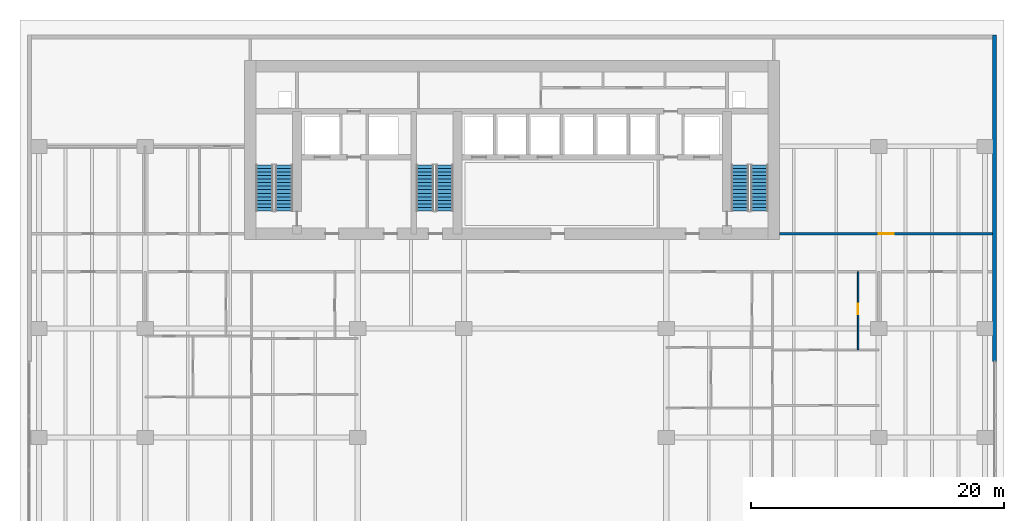
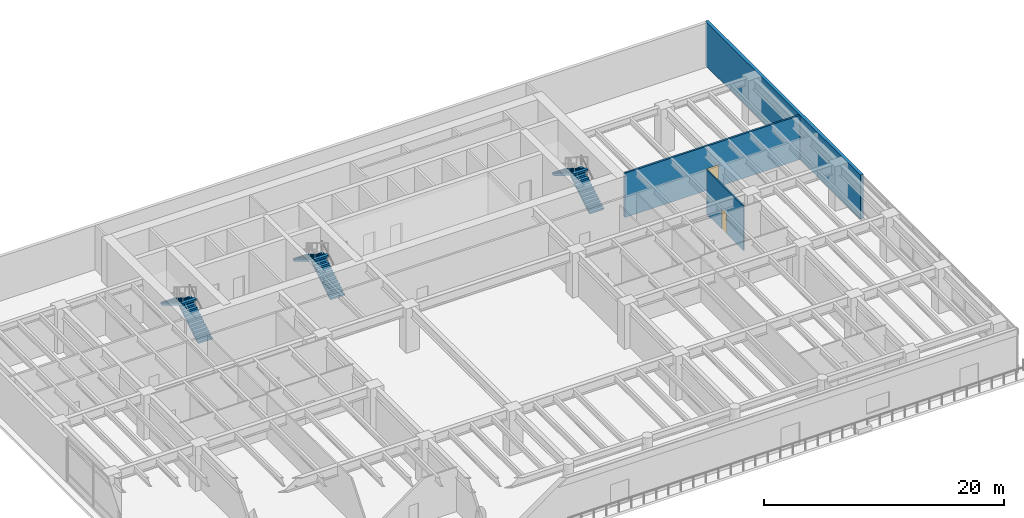
# One storey, part 13 of 17: 6 stair flights, 3 walls, 2 doors, 2 openings, 3 elements without a shape of their own.
"""IFC4 building model written with IfcOpenShell, lengths in metres."""

from ifc_helpers import new_model, si_unit, direction, frame, frame_2d, origin, place, context, subcontext, project, spatial, polyline, rectangle, outline, extrude, material, layer, layer_set, type_object, element, fill, aggregate, save


model = new_model("IFC4")

# Units and contexts
model_context = context("Model", 3, precision=1e-05, world=origin(), true_north=direction((0.0, 1.0)))
body_context = subcontext(model_context, "Body", "Model", "MODEL_VIEW")
ifc_project = project(units=[si_unit("LENGTHUNIT", "METRE"), si_unit("AREAUNIT", "SQUARE_METRE"), si_unit("VOLUMEUNIT", "CUBIC_METRE"), si_unit("PLANEANGLEUNIT", "RADIAN"), si_unit("MASSUNIT", "GRAM", prefix="KILO")], contexts=[model_context])

# Site, building, storey
site_placement = place(None, origin())
site = spatial("IfcSite", under=ifc_project, at=site_placement, CompositionType="ELEMENT")
building_placement = place(site_placement, origin())
building = spatial("IfcBuilding", under=site, at=building_placement, Name="Caelmar Bay Residences", CompositionType="ELEMENT")
storey_placement = place(building_placement, frame((0.0, 0.0, 10.199951171875)))
storey = spatial("IfcBuildingStorey", under=building, at=storey_placement, Name="L02", CompositionType="ELEMENT", Elevation=10.199951171875)

# Wall, opening, door
ifc_material_1 = material(Name="Double-stud acoustic fire-rated gypsum partition 180 mm")
ifc_layer_1 = layer(ifc_material_1, 0.179931640625)
ifc_layer_set_1 = layer_set([ifc_layer_1], Name="Double-stud acoustic fire-rated gypsum partition 180 mm")
wall_type_1 = type_object("IfcWallType", Name="W-COR-200", PredefinedType="PARTITIONING", material=ifc_layer_set_1)
wall_1_placement = place(storey_placement, frame((60.054931640625, 36.89990234375, 0.0), z_axis=(0.0, 0.0, 1.0), x_axis=(1.0, 0.0, 0.0)))
wall_1 = element("IfcWall", 1, at=wall_1_placement, inside=storey, type_object=wall_type_1, Name="L02 Partition Wall H046", PredefinedType="PARTITIONING", context=body_context, shape_type="SweptSolid", body=[
    extrude(rectangle(XDim=16.85009765625, YDim=0.179931640625, at=frame_2d((8.425048828125, 0.0))), origin(), (0.0, 0.0, 1.0), 4.5),
])
opening_1_placement = place(wall_1_placement, frame((7.824951171875, 0.0, 0.0)))
opening_1 = element("IfcOpeningElement", 2, at=opening_1_placement, cuts=wall_1, Name="Opening D-L02-147", PredefinedType="OPENING", context=body_context, shape_type="SweptSolid", body=[
    extrude(rectangle(XDim=1.199951171875, YDim=2.199951171875, at=frame_2d((0.60009765625, 1.10009765625))), frame((0.0, 0.099853515625, 0.0), z_axis=(0.0, -1.0, 0.0), x_axis=(1.0, 0.0, 0.0)), (0.0, 0.0, 1.0), 0.199951171875),
])
ifc_material_2 = material(Name="Fire-rated steel and walnut architectural door assembly", Category="steel")
ifc_layer_2 = layer(ifc_material_2, 0.050048828125)
ifc_layer_set_2 = layer_set([ifc_layer_2], Name="Fire-rated steel and walnut architectural door assembly")
door_type_1 = type_object("IfcDoorType", Name="D-PLANT-1200", OperationType="NOTDEFINED", PredefinedType="DOOR", material=ifc_layer_set_2)
door_1_placement = place(opening_1_placement, origin())
door_1 = element("IfcDoor", 3, at=door_1_placement, inside=storey, type_object=door_type_1, Name="L02 Podium L02 East Fan Plant Room Door", OperationType="SINGLE_SWING_LEFT", OverallHeight=2.199951171875, OverallWidth=1.199951171875, PredefinedType="DOOR", context=body_context, shape_type="SweptSolid", body=[
    extrude(rectangle(XDim=1.199951171875, YDim=2.199951171875, at=frame_2d((0.60009765625, 1.10009765625))), frame((0.0, 0.02490234375, 0.0), z_axis=(0.0, -1.0, 0.0), x_axis=(1.0, 0.0, 0.0)), (0.0, 0.0, 1.0), 0.050048828125),
])
fill(opening_1, door_1)

# Wall
ifc_material_3 = material(Name="Precast concrete f'c 40 MPa (6,000 psi)", Category="concrete")
ifc_layer_3 = layer(ifc_material_3, 0.300048828125)
ifc_layer_set_3 = layer_set([ifc_layer_3], Name="Precast concrete f'c 40 MPa (6,000 psi)")
wall_type_2 = type_object("IfcWallType", Name="W-EXT-300", PredefinedType="STANDARD", material=ifc_layer_set_3)
wall_2_placement = place(storey_placement, frame((77.050048828125, 52.60009765625, 0.0), z_axis=(0.0, 0.0, 1.0), x_axis=(0.0, -1.0, 0.0)))
element("IfcWall", 4, at=wall_2_placement, inside=storey, type_object=wall_type_2, Name="L02 East Rear Exterior Wall", PredefinedType="STANDARD", context=body_context, shape_type="SweptSolid", body=[
    extrude(rectangle(XDim=25.800048828125, YDim=0.300048828125, at=frame_2d((12.89990234375, 0.0))), origin(), (0.0, 0.0, 1.0), 4.5),
])

# Wall, opening, door
ifc_material_4 = material(Name="Acoustic metal-stud gypsum partition 120 mm")
ifc_layer_4 = layer(ifc_material_4, 0.1201171875)
ifc_layer_set_4 = layer_set([ifc_layer_4], Name="Acoustic metal-stud gypsum partition 120 mm")
wall_type_3 = type_object("IfcWallType", Name="W-PRT-120", PredefinedType="PARTITIONING", material=ifc_layer_set_4)
wall_3_placement = place(storey_placement, frame((66.26611328125, 27.719970703125, 0.0), z_axis=(0.0, 0.0, 1.0), x_axis=(0.0, 1.0, 0.0)))
wall_3 = element("IfcWall", 5, at=wall_3_placement, inside=storey, type_object=wall_type_3, Name="L02 Partition Wall V032", PredefinedType="PARTITIONING", context=body_context, shape_type="SweptSolid", body=[
    extrude(rectangle(XDim=6.179931640625, YDim=0.1201171875, at=frame_2d((3.08984375, 0.0))), origin(), (0.0, 0.0, 1.0), 4.5),
])
opening_2_placement = place(wall_3_placement, frame((2.81494140625, 0.0, 0.0)))
opening_2 = element("IfcOpeningElement", 6, at=opening_2_placement, cuts=wall_3, Name="Opening D-L02-140", PredefinedType="OPENING", context=body_context, shape_type="SweptSolid", body=[
    extrude(rectangle(XDim=0.85009765625, YDim=2.10009765625, at=frame_2d((0.425048828125, 1.050048828125))), frame((0.0, 0.070068359375, 0.0), z_axis=(0.0, -1.0, 0.0), x_axis=(1.0, 0.0, 0.0)), (0.0, 0.0, 1.0), 0.14013671875),
])
ifc_material_5 = material(Name="Solid walnut timber interior door leaf and frame", Category="wood")
ifc_layer_5 = layer(ifc_material_5, 0.050048828125)
ifc_layer_set_5 = layer_set([ifc_layer_5], Name="Solid walnut timber interior door leaf and frame")
door_type_2 = type_object("IfcDoorType", Name="D-BATH-850", OperationType="NOTDEFINED", PredefinedType="DOOR", material=ifc_layer_set_5)
door_2_placement = place(opening_2_placement, origin())
door_2 = element("IfcDoor", 7, at=door_2_placement, inside=storey, type_object=door_type_2, Name="L02 Residence 2B En-Suite Bathroom 1 Door", OperationType="SINGLE_SWING_RIGHT", OverallHeight=2.10009765625, OverallWidth=0.85009765625, PredefinedType="DOOR", context=body_context, shape_type="SweptSolid", body=[
    extrude(rectangle(XDim=0.85009765625, YDim=2.10009765625, at=frame_2d((0.425048828125, 1.050048828125))), frame((0.0, 0.02490234375, 0.0), z_axis=(0.0, -1.0, 0.0), x_axis=(1.0, 0.0, 0.0)), (0.0, 0.0, 1.0), 0.050048828125),
])
fill(opening_2, door_2)

# Stair, stair flights
ifc_material_6 = material(Name="Concrete f'c 40 MPa (6,000 psi)", Category="concrete")
stair_type = type_object("IfcStairType", Name="ST-TAL-170", PredefinedType="HALF_TURN_STAIR", material=ifc_material_6)
stair_1_placement = place(storey_placement, origin())
stair_1 = element("IfcStair", 8, at=stair_1_placement, inside=storey, type_object=stair_type, Name="L02 West Smokeproof Exit Stair ST1", PredefinedType="HALF_TURN_STAIR")
stair_flight_type = type_object("IfcStairFlightType", Name="STF-1400", PredefinedType="STRAIGHT", material=ifc_material_3)
stair_flight_1_placement = place(storey_placement, frame((20.875, 38.699951171875, 0.0), z_axis=(0.0, 0.0, 1.0), x_axis=(0.0, 1.0, 0.0)))
stair_flight_1 = element("IfcStairFlight", 9, at=stair_flight_1_placement, type_object=stair_flight_type, Name="ST1 flight 1", NumberOfRisers=14, NumberOfTreads=13, PredefinedType="STRAIGHT", RiserHeight=0.171428571, TreadLength=0.28, context=body_context, shape_type="SweptSolid", body=[
    extrude(outline(polyline([(0.0, 0.0), (0.0, 0.17138671875), (0.280029296875, 0.17138671875), (0.280029296875, 0.3427734375), (0.56005859375, 0.3427734375), (0.56005859375, 0.514404296875), (0.840087890625, 0.514404296875), (0.840087890625, 0.685791015625), (1.1201171875, 0.685791015625), (1.1201171875, 0.857177734375), (1.39990234375, 0.857177734375), (1.39990234375, 1.028564453125), (1.679931640625, 1.028564453125), (1.679931640625, 1.199951171875), (1.9599609375, 1.199951171875), (1.9599609375, 1.371337890625), (2.239990234375, 1.371337890625), (2.239990234375, 1.54296875), (2.52001953125, 1.54296875), (2.52001953125, 1.71435546875), (2.800048828125, 1.71435546875), (2.800048828125, 1.8857421875), (3.080078125, 1.8857421875), (3.080078125, 2.05712890625), (3.360107421875, 2.05712890625), (3.360107421875, 2.228515625), (3.639892578125, 2.228515625), (3.639892578125, 2.39990234375), (3.639892578125, 2.052734375), (0.287109375, 0.0), (0.0, 0.0)])), frame((0.0, 0.675048828125, 0.0), z_axis=(0.0, -1.0, 0.0), x_axis=(1.0, 0.0, 0.0)), (0.0, 0.0, 1.0), 1.35009765625),
])
stair_flight_2_placement = place(storey_placement, frame((19.324951171875, 42.340087890625, 2.400146484375), z_axis=(0.0, 0.0, 1.0), x_axis=(0.0, -1.0, 0.0)))
stair_flight_2 = element("IfcStairFlight", 10, at=stair_flight_2_placement, type_object=stair_flight_type, Name="ST1 flight 2", NumberOfRisers=14, NumberOfTreads=13, PredefinedType="STRAIGHT", RiserHeight=0.171428571, TreadLength=0.28, context=body_context, shape_type="SweptSolid", body=[
    extrude(outline(polyline([(0.0, 0.0), (0.0, 0.17138671875), (0.280029296875, 0.17138671875), (0.280029296875, 0.3427734375), (0.56005859375, 0.3427734375), (0.56005859375, 0.514404296875), (0.840087890625, 0.514404296875), (0.840087890625, 0.685791015625), (1.1201171875, 0.685791015625), (1.1201171875, 0.857177734375), (1.39990234375, 0.857177734375), (1.39990234375, 1.028564453125), (1.679931640625, 1.028564453125), (1.679931640625, 1.199951171875), (1.9599609375, 1.199951171875), (1.9599609375, 1.371337890625), (2.239990234375, 1.371337890625), (2.239990234375, 1.54296875), (2.52001953125, 1.54296875), (2.52001953125, 1.71435546875), (2.800048828125, 1.71435546875), (2.800048828125, 1.8857421875), (3.080078125, 1.8857421875), (3.080078125, 2.05712890625), (3.360107421875, 2.05712890625), (3.360107421875, 2.228515625), (3.639892578125, 2.228515625), (3.639892578125, 2.39990234375), (3.639892578125, 2.052734375), (0.287109375, 0.0), (0.0, 0.0)])), frame((0.0, 0.675048828125, 0.0), z_axis=(0.0, -1.0, 0.0), x_axis=(1.0, 0.0, 0.0)), (0.0, 0.0, 1.0), 1.35009765625),
])
aggregate(stair_1, [stair_flight_1, stair_flight_2])

stair_2_placement = place(storey_placement, origin())
stair_2 = element("IfcStair", 11, at=stair_2_placement, inside=storey, type_object=stair_type, Name="L02 East Smokeproof Exit Stair ST2", PredefinedType="HALF_TURN_STAIR")
stair_flight_3_placement = place(storey_placement, frame((58.47509765625, 38.699951171875, 0.0), z_axis=(0.0, 0.0, 1.0), x_axis=(0.0, 1.0, 0.0)))
stair_flight_3 = element("IfcStairFlight", 12, at=stair_flight_3_placement, type_object=stair_flight_type, Name="ST2 flight 1", NumberOfRisers=14, NumberOfTreads=13, PredefinedType="STRAIGHT", RiserHeight=0.171428571, TreadLength=0.28, context=body_context, shape_type="SweptSolid", body=[
    extrude(outline(polyline([(0.0, 0.0), (0.0, 0.17138671875), (0.280029296875, 0.17138671875), (0.280029296875, 0.3427734375), (0.56005859375, 0.3427734375), (0.56005859375, 0.514404296875), (0.840087890625, 0.514404296875), (0.840087890625, 0.685791015625), (1.1201171875, 0.685791015625), (1.1201171875, 0.857177734375), (1.39990234375, 0.857177734375), (1.39990234375, 1.028564453125), (1.679931640625, 1.028564453125), (1.679931640625, 1.199951171875), (1.9599609375, 1.199951171875), (1.9599609375, 1.371337890625), (2.239990234375, 1.371337890625), (2.239990234375, 1.54296875), (2.52001953125, 1.54296875), (2.52001953125, 1.71435546875), (2.800048828125, 1.71435546875), (2.800048828125, 1.8857421875), (3.080078125, 1.8857421875), (3.080078125, 2.05712890625), (3.360107421875, 2.05712890625), (3.360107421875, 2.228515625), (3.639892578125, 2.228515625), (3.639892578125, 2.39990234375), (3.639892578125, 2.052734375), (0.287109375, 0.0), (0.0, 0.0)])), frame((0.0, 0.675048828125, 0.0), z_axis=(0.0, -1.0, 0.0), x_axis=(1.0, 0.0, 0.0)), (0.0, 0.0, 1.0), 1.35009765625),
])
stair_flight_4_placement = place(storey_placement, frame((56.925048828125, 42.340087890625, 2.400146484375), z_axis=(0.0, 0.0, 1.0), x_axis=(0.0, -1.0, 0.0)))
stair_flight_4 = element("IfcStairFlight", 13, at=stair_flight_4_placement, type_object=stair_flight_type, Name="ST2 flight 2", NumberOfRisers=14, NumberOfTreads=13, PredefinedType="STRAIGHT", RiserHeight=0.171428571, TreadLength=0.28, context=body_context, shape_type="SweptSolid", body=[
    extrude(outline(polyline([(0.0, 0.0), (0.0, 0.17138671875), (0.280029296875, 0.17138671875), (0.280029296875, 0.3427734375), (0.56005859375, 0.3427734375), (0.56005859375, 0.514404296875), (0.840087890625, 0.514404296875), (0.840087890625, 0.685791015625), (1.1201171875, 0.685791015625), (1.1201171875, 0.857177734375), (1.39990234375, 0.857177734375), (1.39990234375, 1.028564453125), (1.679931640625, 1.028564453125), (1.679931640625, 1.199951171875), (1.9599609375, 1.199951171875), (1.9599609375, 1.371337890625), (2.239990234375, 1.371337890625), (2.239990234375, 1.54296875), (2.52001953125, 1.54296875), (2.52001953125, 1.71435546875), (2.800048828125, 1.71435546875), (2.800048828125, 1.8857421875), (3.080078125, 1.8857421875), (3.080078125, 2.05712890625), (3.360107421875, 2.05712890625), (3.360107421875, 2.228515625), (3.639892578125, 2.228515625), (3.639892578125, 2.39990234375), (3.639892578125, 2.052734375), (0.287109375, 0.0), (0.0, 0.0)])), frame((0.0, 0.675048828125, 0.0), z_axis=(0.0, -1.0, 0.0), x_axis=(1.0, 0.0, 0.0)), (0.0, 0.0, 1.0), 1.35009765625),
])
aggregate(stair_2, [stair_flight_3, stair_flight_4])

stair_3_placement = place(storey_placement, origin())
stair_3 = element("IfcStair", 14, at=stair_3_placement, inside=storey, type_object=stair_type, Name="L02 Central Smokeproof Exit Stair ST3", PredefinedType="HALF_TURN_STAIR")
stair_flight_5_placement = place(storey_placement, frame((33.574951171875, 38.699951171875, 0.0), z_axis=(0.0, 0.0, 1.0), x_axis=(0.0, 1.0, 0.0)))
stair_flight_5 = element("IfcStairFlight", 15, at=stair_flight_5_placement, type_object=stair_flight_type, Name="ST3 flight 1", NumberOfRisers=14, NumberOfTreads=13, PredefinedType="STRAIGHT", RiserHeight=0.171428571, TreadLength=0.28, context=body_context, shape_type="SweptSolid", body=[
    extrude(outline(polyline([(0.0, 0.0), (0.0, 0.17138671875), (0.280029296875, 0.17138671875), (0.280029296875, 0.3427734375), (0.56005859375, 0.3427734375), (0.56005859375, 0.514404296875), (0.840087890625, 0.514404296875), (0.840087890625, 0.685791015625), (1.1201171875, 0.685791015625), (1.1201171875, 0.857177734375), (1.39990234375, 0.857177734375), (1.39990234375, 1.028564453125), (1.679931640625, 1.028564453125), (1.679931640625, 1.199951171875), (1.9599609375, 1.199951171875), (1.9599609375, 1.371337890625), (2.239990234375, 1.371337890625), (2.239990234375, 1.54296875), (2.52001953125, 1.54296875), (2.52001953125, 1.71435546875), (2.800048828125, 1.71435546875), (2.800048828125, 1.8857421875), (3.080078125, 1.8857421875), (3.080078125, 2.05712890625), (3.360107421875, 2.05712890625), (3.360107421875, 2.228515625), (3.639892578125, 2.228515625), (3.639892578125, 2.39990234375), (3.639892578125, 2.052734375), (0.287109375, 0.0), (0.0, 0.0)])), frame((0.0, 0.675048828125, 0.0), z_axis=(0.0, -1.0, 0.0), x_axis=(1.0, 0.0, 0.0)), (0.0, 0.0, 1.0), 1.35009765625),
])
stair_flight_6_placement = place(storey_placement, frame((32.02490234375, 42.340087890625, 2.400146484375), z_axis=(0.0, 0.0, 1.0), x_axis=(0.0, -1.0, 0.0)))
stair_flight_6 = element("IfcStairFlight", 16, at=stair_flight_6_placement, type_object=stair_flight_type, Name="ST3 flight 2", NumberOfRisers=14, NumberOfTreads=13, PredefinedType="STRAIGHT", RiserHeight=0.171428571, TreadLength=0.28, context=body_context, shape_type="SweptSolid", body=[
    extrude(outline(polyline([(0.0, 0.0), (0.0, 0.17138671875), (0.280029296875, 0.17138671875), (0.280029296875, 0.3427734375), (0.56005859375, 0.3427734375), (0.56005859375, 0.514404296875), (0.840087890625, 0.514404296875), (0.840087890625, 0.685791015625), (1.1201171875, 0.685791015625), (1.1201171875, 0.857177734375), (1.39990234375, 0.857177734375), (1.39990234375, 1.028564453125), (1.679931640625, 1.028564453125), (1.679931640625, 1.199951171875), (1.9599609375, 1.199951171875), (1.9599609375, 1.371337890625), (2.239990234375, 1.371337890625), (2.239990234375, 1.54296875), (2.52001953125, 1.54296875), (2.52001953125, 1.71435546875), (2.800048828125, 1.71435546875), (2.800048828125, 1.8857421875), (3.080078125, 1.8857421875), (3.080078125, 2.05712890625), (3.360107421875, 2.05712890625), (3.360107421875, 2.228515625), (3.639892578125, 2.228515625), (3.639892578125, 2.39990234375), (3.639892578125, 2.052734375), (0.287109375, 0.0), (0.0, 0.0)])), frame((0.0, 0.675048828125, 0.0), z_axis=(0.0, -1.0, 0.0), x_axis=(1.0, 0.0, 0.0)), (0.0, 0.0, 1.0), 1.35009765625),
])
aggregate(stair_3, [stair_flight_5, stair_flight_6])

save(model, "model.ifc")
